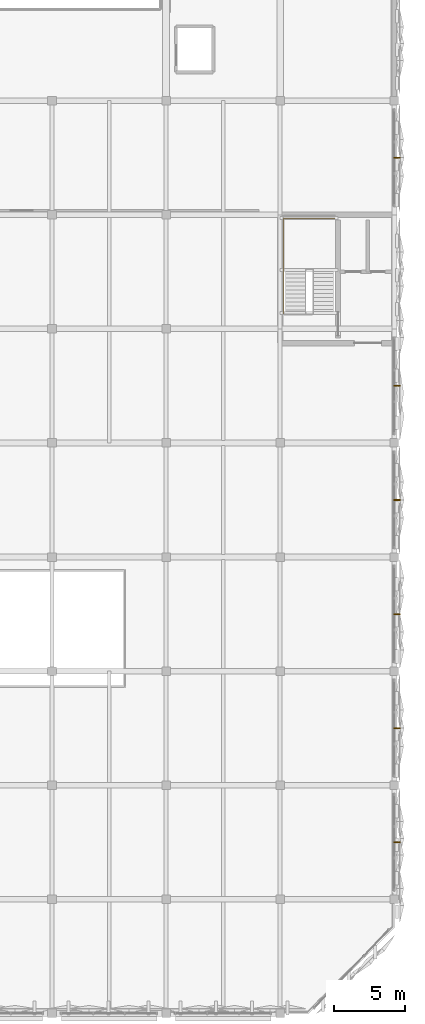
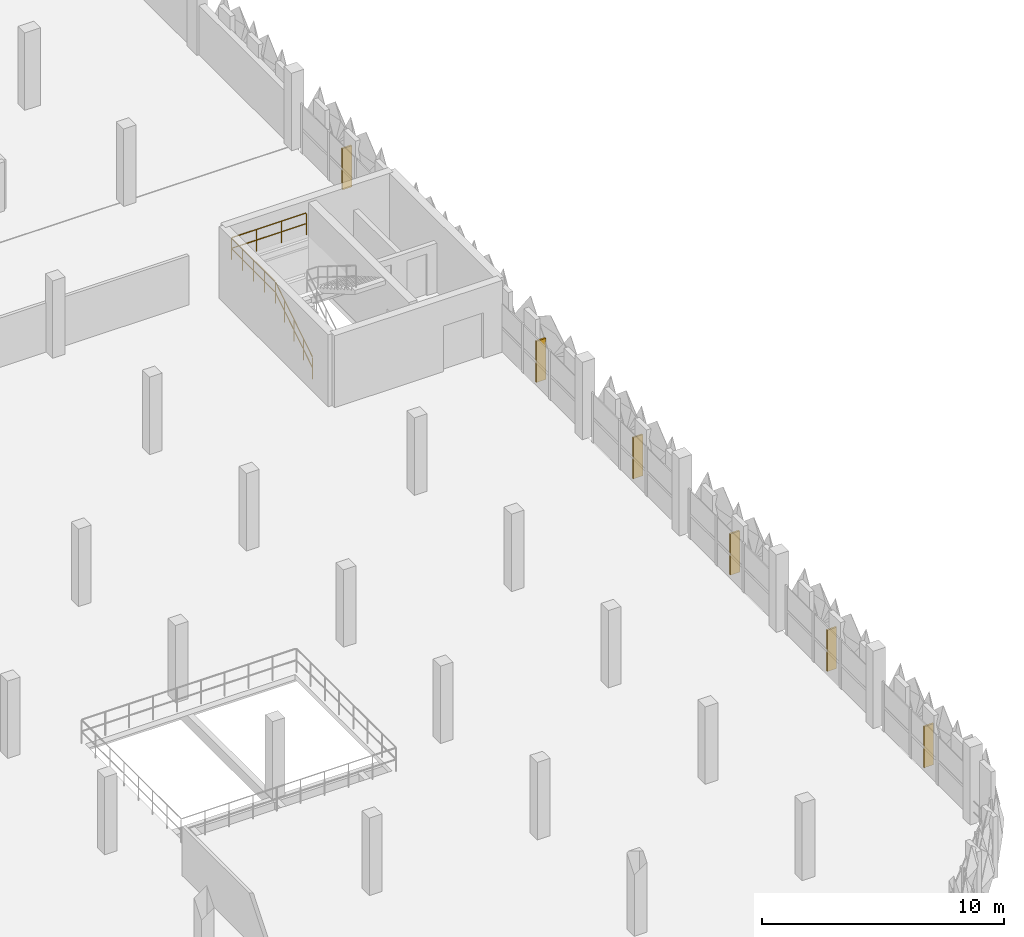
# One storey, part 119 of 123: 6 shading devices, 1 railing.
"""IFC4 building model written with IfcOpenShell, lengths in metres."""

from ifc_helpers import new_model, si_unit, derived_unit, direction, frame, origin, origin_2d, place, context, subcontext, project, spatial, rectangle, circle, extrude, material, material_profile, profile_set, type_object, element, save


model = new_model("IFC4")

# Units and contexts
model_context = context("Model", 3, precision=1e-05, world=origin(), true_north=direction((0.0, 1.0)))
body_context = subcontext(model_context, "Body", "Model", "MODEL_VIEW")
ifc_project = project(units=[si_unit("LENGTHUNIT", "METRE"), si_unit("AREAUNIT", "SQUARE_METRE"), si_unit("VOLUMEUNIT", "CUBIC_METRE"), si_unit("PLANEANGLEUNIT", "RADIAN"), si_unit("MASSUNIT", "GRAM", prefix="KILO"), si_unit("THERMODYNAMICTEMPERATUREUNIT", "KELVIN"), derived_unit("THERMALTRANSMITTANCEUNIT", [(si_unit("POWERUNIT", "WATT"), 1), (si_unit("AREAUNIT", "SQUARE_METRE"), -1), (si_unit("THERMODYNAMICTEMPERATUREUNIT", "KELVIN"), -1)])], contexts=[model_context])

# Site, building, storey
site_placement = place(None, origin())
site = spatial("IfcSite", under=ifc_project, at=site_placement, CompositionType="ELEMENT")
building_placement = place(site_placement, origin())
building = spatial("IfcBuilding", under=site, at=building_placement, Name="Haiyu Intermodal Mobility Hub", CompositionType="ELEMENT")
storey_placement = place(building_placement, frame((0.0, 0.0, 5.60009765625)))
storey = spatial("IfcBuildingStorey", under=building, at=storey_placement, Name="L01", CompositionType="ELEMENT", Elevation=5.60009765625)

# Railing
ifc_material_1 = material(Name="Steel Q355C", Category="steel")
railing_type = type_object("IfcRailingType", Name="RAL-GR03", PredefinedType="GUARDRAIL", material=ifc_material_1)
railing_placement = place(storey_placement, frame((202.25, 65.050048828125, 0.0)))
element("IfcRailing", 1, at=railing_placement, inside=storey, type_object=railing_type, Name="Stair Outer Guard STR-C9-L01", PredefinedType="GUARDRAIL", context=body_context, shape_type="SweptSolid", body=[
    extrude(circle(Radius=0.02392578125, at=origin_2d()), frame((0.0, 0.025390625, 1.112060546875), z_axis=(0.0, 0.844894753029, 0.534932571736), x_axis=(-1.0, 0.0, 0.0)), (0.0, 0.0, 1.0), 3.585205078125),
    extrude(circle(Radius=0.02392578125, at=origin_2d()), frame((0.0, 0.031494140625, 0.580078125), z_axis=(0.0, 0.844894753029, 0.534932571736), x_axis=(-1.0, 0.0, 0.0)), (0.0, 0.0, 1.0), 0.836669921875),
    extrude(circle(Radius=0.02392578125, at=origin_2d()), frame((0.0, 0.801513671875, 1.0673828125), z_axis=(0.0, 0.844894753029, 0.534932571736), x_axis=(-1.0, 0.0, 0.0)), (0.0, 0.0, 1.0), 0.836669921875),
    extrude(circle(Radius=0.02392578125, at=origin_2d()), frame((0.0, 1.571533203125, 1.554931640625), z_axis=(0.0, 0.844894753029, 0.534932571736), x_axis=(-1.0, 0.0, 0.0)), (0.0, 0.0, 1.0), 0.836669921875),
    extrude(circle(Radius=0.02392578125, at=origin_2d()), frame((0.0, 2.34130859375, 2.04248046875), z_axis=(0.0, 0.844894753029, 0.534932571736), x_axis=(-1.0, 0.0, 0.0)), (0.0, 0.0, 1.0), 0.836669921875),
    extrude(circle(Radius=0.02392578125, at=origin_2d()), frame((0.0, 3.10986328125, 3.0458984375), z_axis=(0.0, 1.0, 0.0), x_axis=(-1.0, 0.0, 0.0)), (0.0, 0.0, 1.0), 3.570068359375),
    extrude(circle(Radius=0.02392578125, at=origin_2d()), frame((0.0, 3.1171875, 2.510009765625), z_axis=(0.0, 1.0, 0.0), x_axis=(-1.0, 0.0, 0.0)), (0.0, 0.0, 1.0), 0.8330078125),
    extrude(circle(Radius=0.02392578125, at=origin_2d()), frame((0.0, 4.024658203125, 2.510009765625), z_axis=(0.0, 1.0, 0.0), x_axis=(-1.0, 0.0, 0.0)), (0.0, 0.0, 1.0), 0.8330078125),
    extrude(circle(Radius=0.02392578125, at=origin_2d()), frame((0.0, 4.93212890625, 2.510009765625), z_axis=(0.0, 1.0, 0.0), x_axis=(-1.0, 0.0, 0.0)), (0.0, 0.0, 1.0), 0.8330078125),
    extrude(circle(Radius=0.02392578125, at=origin_2d()), frame((0.0, 5.83984375, 2.510009765625), z_axis=(0.0, 1.0, 0.0), x_axis=(-1.0, 0.0, 0.0)), (0.0, 0.0, 1.0), 0.8330078125),
    extrude(circle(Radius=0.02392578125, at=origin_2d()), frame((0.030029296875, 6.7099609375, 3.0458984375), z_axis=(1.0, 0.0, 0.0), x_axis=(0.0, 1.0, 0.0)), (0.0, 0.0, 1.0), 3.52001953125),
    extrude(circle(Radius=0.02392578125, at=origin_2d()), frame((0.037353515625, 6.7099609375, 2.510009765625), z_axis=(1.0, 0.0, 0.0), x_axis=(0.0, 1.0, 0.0)), (0.0, 0.0, 1.0), 1.11865234375),
    extrude(circle(Radius=0.02392578125, at=origin_2d()), frame((1.230712890625, 6.7099609375, 2.510009765625), z_axis=(1.0, 0.0, 0.0), x_axis=(0.0, 1.0, 0.0)), (0.0, 0.0, 1.0), 1.11865234375),
    extrude(circle(Radius=0.02392578125, at=origin_2d()), frame((2.424072265625, 6.7099609375, 2.510009765625), z_axis=(1.0, 0.0, 0.0), x_axis=(0.0, 1.0, 0.0)), (0.0, 0.0, 1.0), 1.11865234375),
    extrude(circle(Radius=0.02099609375, at=origin_2d()), origin(), (0.0, 0.0, 1.0), 1.06396484375),
    extrude(circle(Radius=0.02099609375, at=origin_2d()), frame((0.0, 0.77001953125, 0.487548828125)), (0.0, 0.0, 1.0), 1.06396484375),
    extrude(circle(Radius=0.02099609375, at=origin_2d()), frame((0.0, 1.5400390625, 0.97509765625)), (0.0, 0.0, 1.0), 1.06396484375),
    extrude(circle(Radius=0.02099609375, at=origin_2d()), frame((0.0, 2.309814453125, 1.46240234375)), (0.0, 0.0, 1.0), 1.06396484375),
    extrude(circle(Radius=0.02099609375, at=origin_2d()), frame((0.0, 3.079833984375, 1.949951171875)), (0.0, 0.0, 1.0), 1.06396484375),
    extrude(circle(Radius=0.02099609375, at=origin_2d()), frame((0.0, 3.9873046875, 1.949951171875)), (0.0, 0.0, 1.0), 1.06396484375),
    extrude(circle(Radius=0.02099609375, at=origin_2d()), frame((0.0, 4.89501953125, 1.949951171875)), (0.0, 0.0, 1.0), 1.06396484375),
    extrude(circle(Radius=0.02099609375, at=origin_2d()), frame((0.0, 5.802490234375, 1.949951171875)), (0.0, 0.0, 1.0), 1.06396484375),
    extrude(circle(Radius=0.02099609375, at=origin_2d()), frame((0.0, 6.7099609375, 1.949951171875)), (0.0, 0.0, 1.0), 1.06396484375),
    extrude(circle(Radius=0.02099609375, at=origin_2d()), frame((1.193359375, 6.7099609375, 1.949951171875)), (0.0, 0.0, 1.0), 1.06396484375),
    extrude(circle(Radius=0.02099609375, at=origin_2d()), frame((2.38671875, 6.7099609375, 1.949951171875)), (0.0, 0.0, 1.0), 1.06396484375),
    extrude(circle(Radius=0.02099609375, at=origin_2d()), frame((3.580078125, 6.7099609375, 1.949951171875)), (0.0, 0.0, 1.0), 1.06396484375),
])

# Shading devices
ifc_material_2 = material(Name="Anodised aluminium 6063-T6", Category="aluminium")
ifc_material_profile = material_profile(ifc_material_2, rectangle(XDim=0.070068359375, YDim=0.550048828125, at=origin_2d()), Name="FIN70x550")
ifc_profile_set = profile_set([ifc_material_profile], Name="Anodised aluminium 6063-T6")
shading_device_type = type_object("IfcShadingDeviceType", Name="SHD-SD02", PredefinedType="AWNING", material=ifc_profile_set)
for number, where, z_axis, x_axis, name in (
    (2, (210.199951171875, 28.0, 0.199951171875), (0.0, 0.0, 1.0), (1.0, 0.0, 0.0), "SHD-V5E-027"),
    (3, (210.199951171875, 36.0, 0.199951171875), (0.0, 0.0, 1.0), (1.0, 0.0, 0.0), "SHD-V5E-028"),
    (4, (210.199951171875, 44.0, 0.199951171875), (0.0, 0.0, 1.0), (1.0, 0.0, 0.0), "SHD-V5E-029"),
    (5, (210.199951171875, 52.0, 0.199951171875), (0.0, 0.0, 1.0), (1.0, 0.0, 0.0), "SHD-V5E-030"),
    (6, (210.199951171875, 60.0, 0.199951171875), (0.0, 0.0, 1.0), (1.0, 0.0, 0.0), "SHD-V5E-031"),
    (7, (210.199951171875, 76.0, 0.199951171875), (0.0, 0.0, 1.0), (1.0, 0.0, 0.0), "SHD-V5E-032"),
):
    element("IfcShadingDevice", number, at=place(storey_placement, frame(where, z_axis=z_axis, x_axis=x_axis)), inside=storey, type_object=shading_device_type, Name=name, PredefinedType="AWNING", context=body_context, shape_type="SweptSolid", body=[
        extrude(rectangle(XDim=0.449951171875, YDim=0.080078125, at=origin_2d()), origin(), (0.0, 0.0, 1.0), 2.080078125),
    ])

save(model, "model.ifc")
